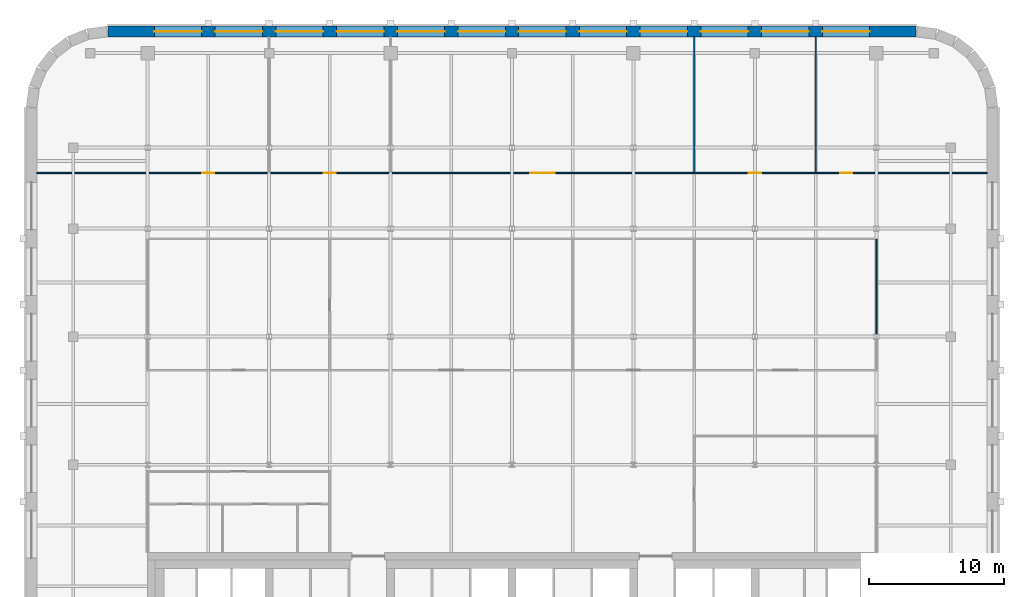
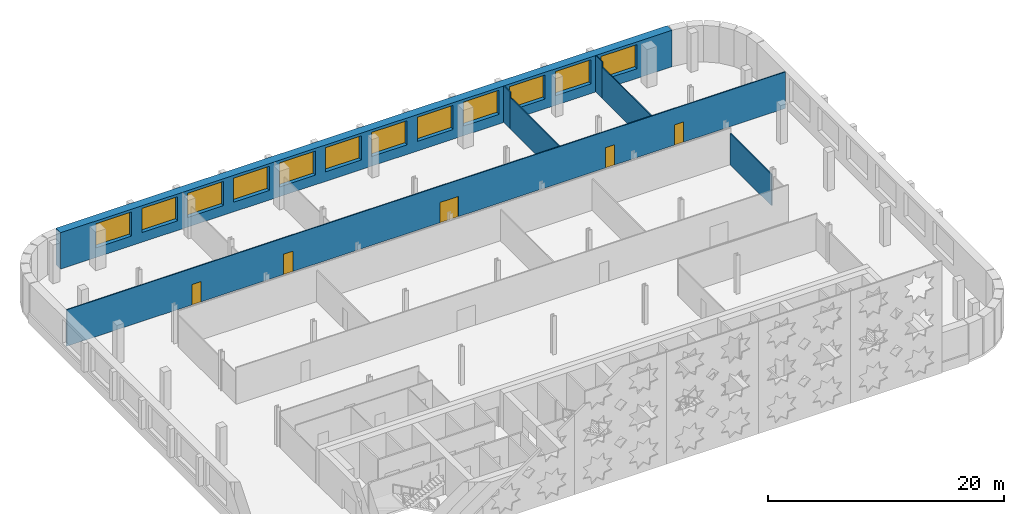
# One storey, part 10 of 15: 12 windows, 7 walls, 5 doors, 17 openings.
"""IFC4 building model written with IfcOpenShell, lengths in metres."""

from ifc_helpers import new_model, si_unit, direction, frame, frame_2d, origin, place, context, subcontext, project, spatial, rectangle, extrude, material, layer, layer_set, type_object, element, fill, save


model = new_model("IFC4")

# Units and contexts
model_context = context("Model", 3, precision=1e-05, world=origin(), true_north=direction((0.0, 1.0)))
body_context = subcontext(model_context, "Body", "Model", "MODEL_VIEW")
ifc_project = project(units=[si_unit("LENGTHUNIT", "METRE"), si_unit("AREAUNIT", "SQUARE_METRE"), si_unit("VOLUMEUNIT", "CUBIC_METRE"), si_unit("PLANEANGLEUNIT", "RADIAN"), si_unit("MASSUNIT", "GRAM", prefix="KILO")], contexts=[model_context])

# Site, building, storey
site_placement = place(None, origin())
site = spatial("IfcSite", under=ifc_project, at=site_placement, CompositionType="ELEMENT")
building_placement = place(site_placement, origin())
building = spatial("IfcBuilding", under=site, at=building_placement, Name="Zellij Exchange Tower", CompositionType="ELEMENT")
storey_placement = place(building_placement, frame((0.0, 0.0, 276.5)))
storey = spatial("IfcBuildingStorey", under=building, at=storey_placement, Name="L65", CompositionType="ELEMENT", Elevation=276.5)

# Wall, openings, windows
ifc_material_1 = material(Name="Precast concrete C40/50", Category="concrete")
ifc_layer_1 = layer(ifc_material_1, 0.800048828125)
ifc_layer_set_1 = layer_set([ifc_layer_1], Name="Precast concrete C40/50")
wall_type_1 = type_object("IfcWallType", Name="ENV-EW1 Precast stone-piered wall 800", PredefinedType="SOLIDWALL", material=ifc_layer_set_1)
wall_1_placement = place(storey_placement, frame((29.947509765625, 36.60009765625, 0.0), z_axis=(0.0, 0.0, 1.0), x_axis=(-1.0, 0.0, 0.0)))
wall_1 = element("IfcWall", 1, at=wall_1_placement, inside=storey, type_object=wall_type_1, Name="fac.L65.14", PredefinedType="SOLIDWALL", context=body_context, shape_type="SweptSolid", body=[
    extrude(rectangle(XDim=59.89501953125, YDim=0.800048828125, at=frame_2d((29.947509765625, 0.0))), origin(), (0.0, 0.0, 1.0), 3.780029296875),
])
opening_1_placement = place(wall_1_placement, frame((3.447509765625, 0.0, 1.0)))
opening_1 = element("IfcOpeningElement", 2, at=opening_1_placement, cuts=wall_1, Name="Opening FC1.07", PredefinedType="OPENING", context=body_context, shape_type="SweptSolid", body=[
    extrude(rectangle(XDim=3.5, YDim=2.5, at=frame_2d((1.75, 1.25))), frame((0.0, 0.412109375, 0.0), z_axis=(0.0, -1.0, 0.0), x_axis=(1.0, 0.0, 0.0)), (0.0, 0.0, 1.0), 0.823974609375),
])
opening_2_placement = place(wall_1_placement, frame((7.947509765625, 0.0, 1.0)))
opening_2 = element("IfcOpeningElement", 3, at=opening_2_placement, cuts=wall_1, Name="Opening FC1.08", PredefinedType="OPENING", context=body_context, shape_type="SweptSolid", body=[
    extrude(rectangle(XDim=3.5, YDim=2.5, at=frame_2d((1.75, 1.25))), frame((0.0, 0.412109375, 0.0), z_axis=(0.0, -1.0, 0.0), x_axis=(1.0, 0.0, 0.0)), (0.0, 0.0, 1.0), 0.823974609375),
])
opening_3_placement = place(wall_1_placement, frame((12.447509765625, 0.0, 1.0)))
opening_3 = element("IfcOpeningElement", 4, at=opening_3_placement, cuts=wall_1, Name="Opening FC1.09", PredefinedType="OPENING", context=body_context, shape_type="SweptSolid", body=[
    extrude(rectangle(XDim=3.5, YDim=2.5, at=frame_2d((1.75, 1.25))), frame((0.0, 0.412109375, 0.0), z_axis=(0.0, -1.0, 0.0), x_axis=(1.0, 0.0, 0.0)), (0.0, 0.0, 1.0), 0.823974609375),
])
opening_4_placement = place(wall_1_placement, frame((16.947509765625, 0.0, 1.0)))
opening_4 = element("IfcOpeningElement", 5, at=opening_4_placement, cuts=wall_1, Name="Opening FC1.10", PredefinedType="OPENING", context=body_context, shape_type="SweptSolid", body=[
    extrude(rectangle(XDim=3.5, YDim=2.5, at=frame_2d((1.75, 1.25))), frame((0.0, 0.412109375, 0.0), z_axis=(0.0, -1.0, 0.0), x_axis=(1.0, 0.0, 0.0)), (0.0, 0.0, 1.0), 0.823974609375),
])
opening_5_placement = place(wall_1_placement, frame((21.447509765625, 0.0, 1.0)))
opening_5 = element("IfcOpeningElement", 6, at=opening_5_placement, cuts=wall_1, Name="Opening FC1.11", PredefinedType="OPENING", context=body_context, shape_type="SweptSolid", body=[
    extrude(rectangle(XDim=3.5, YDim=2.5, at=frame_2d((1.75, 1.25))), frame((0.0, 0.412109375, 0.0), z_axis=(0.0, -1.0, 0.0), x_axis=(1.0, 0.0, 0.0)), (0.0, 0.0, 1.0), 0.823974609375),
])
opening_6_placement = place(wall_1_placement, frame((25.947509765625, 0.0, 1.0)))
opening_6 = element("IfcOpeningElement", 7, at=opening_6_placement, cuts=wall_1, Name="Opening FC1.12", PredefinedType="OPENING", context=body_context, shape_type="SweptSolid", body=[
    extrude(rectangle(XDim=3.5, YDim=2.5, at=frame_2d((1.75, 1.25))), frame((0.0, 0.412109375, 0.0), z_axis=(0.0, -1.0, 0.0), x_axis=(1.0, 0.0, 0.0)), (0.0, 0.0, 1.0), 0.823974609375),
])
opening_7_placement = place(wall_1_placement, frame((30.447509765625, 0.0, 1.0)))
opening_7 = element("IfcOpeningElement", 8, at=opening_7_placement, cuts=wall_1, Name="Opening FC1.13", PredefinedType="OPENING", context=body_context, shape_type="SweptSolid", body=[
    extrude(rectangle(XDim=3.5, YDim=2.5, at=frame_2d((1.75, 1.25))), frame((0.0, 0.412109375, 0.0), z_axis=(0.0, -1.0, 0.0), x_axis=(1.0, 0.0, 0.0)), (0.0, 0.0, 1.0), 0.823974609375),
])
opening_8_placement = place(wall_1_placement, frame((34.947509765625, 0.0, 1.0)))
opening_8 = element("IfcOpeningElement", 9, at=opening_8_placement, cuts=wall_1, Name="Opening FC1.14", PredefinedType="OPENING", context=body_context, shape_type="SweptSolid", body=[
    extrude(rectangle(XDim=3.5, YDim=2.5, at=frame_2d((1.75, 1.25))), frame((0.0, 0.412109375, 0.0), z_axis=(0.0, -1.0, 0.0), x_axis=(1.0, 0.0, 0.0)), (0.0, 0.0, 1.0), 0.823974609375),
])
opening_9_placement = place(wall_1_placement, frame((39.447509765625, 0.0, 1.0)))
opening_9 = element("IfcOpeningElement", 10, at=opening_9_placement, cuts=wall_1, Name="Opening FC1.15", PredefinedType="OPENING", context=body_context, shape_type="SweptSolid", body=[
    extrude(rectangle(XDim=3.5, YDim=2.5, at=frame_2d((1.75, 1.25))), frame((0.0, 0.412109375, 0.0), z_axis=(0.0, -1.0, 0.0), x_axis=(1.0, 0.0, 0.0)), (0.0, 0.0, 1.0), 0.823974609375),
])
opening_10_placement = place(wall_1_placement, frame((43.947509765625, 0.0, 1.0)))
opening_10 = element("IfcOpeningElement", 11, at=opening_10_placement, cuts=wall_1, Name="Opening FC1.16", PredefinedType="OPENING", context=body_context, shape_type="SweptSolid", body=[
    extrude(rectangle(XDim=3.5, YDim=2.5, at=frame_2d((1.75, 1.25))), frame((0.0, 0.412109375, 0.0), z_axis=(0.0, -1.0, 0.0), x_axis=(1.0, 0.0, 0.0)), (0.0, 0.0, 1.0), 0.823974609375),
])
opening_11_placement = place(wall_1_placement, frame((48.447509765625, 0.0, 1.0)))
opening_11 = element("IfcOpeningElement", 12, at=opening_11_placement, cuts=wall_1, Name="Opening FC1.17", PredefinedType="OPENING", context=body_context, shape_type="SweptSolid", body=[
    extrude(rectangle(XDim=3.5, YDim=2.5, at=frame_2d((1.75, 1.25))), frame((0.0, 0.412109375, 0.0), z_axis=(0.0, -1.0, 0.0), x_axis=(1.0, 0.0, 0.0)), (0.0, 0.0, 1.0), 0.823974609375),
])
opening_12_placement = place(wall_1_placement, frame((52.947509765625, 0.0, 1.0)))
opening_12 = element("IfcOpeningElement", 13, at=opening_12_placement, cuts=wall_1, Name="Opening FC1.18", PredefinedType="OPENING", context=body_context, shape_type="SweptSolid", body=[
    extrude(rectangle(XDim=3.5, YDim=2.5, at=frame_2d((1.75, 1.25))), frame((0.0, 0.412109375, 0.0), z_axis=(0.0, -1.0, 0.0), x_axis=(1.0, 0.0, 0.0)), (0.0, 0.0, 1.0), 0.823974609375),
])
ifc_material_2 = material(Name="Aluminium frame with insulating glass", Category="aluminium")
window_type = type_object("IfcWindowType", Name="ENV-W1 Window 3500x2500", PartitioningType="SINGLE_PANEL", PredefinedType="WINDOW", material=ifc_material_2)
window_1_placement = place(opening_1_placement, origin())
window_1 = element("IfcWindow", 14, at=window_1_placement, inside=storey, type_object=window_type, Name="Window FC1.07", OverallHeight=2.5, OverallWidth=3.5, PartitioningType="SINGLE_PANEL", PredefinedType="WINDOW", context=body_context, shape_type="SweptSolid", body=[
    extrude(rectangle(XDim=3.5, YDim=2.5, at=frame_2d((1.75, 1.25))), frame((0.0, 0.030029296875, 0.0), z_axis=(0.0, -1.0, 0.0), x_axis=(1.0, 0.0, 0.0)), (0.0, 0.0, 1.0), 0.06005859375),
])
fill(opening_1, window_1)
window_2_placement = place(opening_2_placement, origin())
window_2 = element("IfcWindow", 15, at=window_2_placement, inside=storey, type_object=window_type, Name="Window FC1.08", OverallHeight=2.5, OverallWidth=3.5, PartitioningType="SINGLE_PANEL", PredefinedType="WINDOW", context=body_context, shape_type="SweptSolid", body=[
    extrude(rectangle(XDim=3.5, YDim=2.5, at=frame_2d((1.75, 1.25))), frame((0.0, 0.030029296875, 0.0), z_axis=(0.0, -1.0, 0.0), x_axis=(1.0, 0.0, 0.0)), (0.0, 0.0, 1.0), 0.06005859375),
])
fill(opening_2, window_2)
window_3_placement = place(opening_3_placement, origin())
window_3 = element("IfcWindow", 16, at=window_3_placement, inside=storey, type_object=window_type, Name="Window FC1.09", OverallHeight=2.5, OverallWidth=3.5, PartitioningType="SINGLE_PANEL", PredefinedType="WINDOW", context=body_context, shape_type="SweptSolid", body=[
    extrude(rectangle(XDim=3.5, YDim=2.5, at=frame_2d((1.75, 1.25))), frame((0.0, 0.030029296875, 0.0), z_axis=(0.0, -1.0, 0.0), x_axis=(1.0, 0.0, 0.0)), (0.0, 0.0, 1.0), 0.06005859375),
])
fill(opening_3, window_3)
window_4_placement = place(opening_4_placement, origin())
window_4 = element("IfcWindow", 17, at=window_4_placement, inside=storey, type_object=window_type, Name="Window FC1.10", OverallHeight=2.5, OverallWidth=3.5, PartitioningType="SINGLE_PANEL", PredefinedType="WINDOW", context=body_context, shape_type="SweptSolid", body=[
    extrude(rectangle(XDim=3.5, YDim=2.5, at=frame_2d((1.75, 1.25))), frame((0.0, 0.030029296875, 0.0), z_axis=(0.0, -1.0, 0.0), x_axis=(1.0, 0.0, 0.0)), (0.0, 0.0, 1.0), 0.06005859375),
])
fill(opening_4, window_4)
window_5_placement = place(opening_5_placement, origin())
window_5 = element("IfcWindow", 18, at=window_5_placement, inside=storey, type_object=window_type, Name="Window FC1.11", OverallHeight=2.5, OverallWidth=3.5, PartitioningType="SINGLE_PANEL", PredefinedType="WINDOW", context=body_context, shape_type="SweptSolid", body=[
    extrude(rectangle(XDim=3.5, YDim=2.5, at=frame_2d((1.75, 1.25))), frame((0.0, 0.030029296875, 0.0), z_axis=(0.0, -1.0, 0.0), x_axis=(1.0, 0.0, 0.0)), (0.0, 0.0, 1.0), 0.06005859375),
])
fill(opening_5, window_5)
window_6_placement = place(opening_6_placement, origin())
window_6 = element("IfcWindow", 19, at=window_6_placement, inside=storey, type_object=window_type, Name="Window FC1.12", OverallHeight=2.5, OverallWidth=3.5, PartitioningType="SINGLE_PANEL", PredefinedType="WINDOW", context=body_context, shape_type="SweptSolid", body=[
    extrude(rectangle(XDim=3.5, YDim=2.5, at=frame_2d((1.75, 1.25))), frame((0.0, 0.030029296875, 0.0), z_axis=(0.0, -1.0, 0.0), x_axis=(1.0, 0.0, 0.0)), (0.0, 0.0, 1.0), 0.06005859375),
])
fill(opening_6, window_6)
window_7_placement = place(opening_7_placement, origin())
window_7 = element("IfcWindow", 20, at=window_7_placement, inside=storey, type_object=window_type, Name="Window FC1.13", OverallHeight=2.5, OverallWidth=3.5, PartitioningType="SINGLE_PANEL", PredefinedType="WINDOW", context=body_context, shape_type="SweptSolid", body=[
    extrude(rectangle(XDim=3.5, YDim=2.5, at=frame_2d((1.75, 1.25))), frame((0.0, 0.030029296875, 0.0), z_axis=(0.0, -1.0, 0.0), x_axis=(1.0, 0.0, 0.0)), (0.0, 0.0, 1.0), 0.06005859375),
])
fill(opening_7, window_7)
window_8_placement = place(opening_8_placement, origin())
window_8 = element("IfcWindow", 21, at=window_8_placement, inside=storey, type_object=window_type, Name="Window FC1.14", OverallHeight=2.5, OverallWidth=3.5, PartitioningType="SINGLE_PANEL", PredefinedType="WINDOW", context=body_context, shape_type="SweptSolid", body=[
    extrude(rectangle(XDim=3.5, YDim=2.5, at=frame_2d((1.75, 1.25))), frame((0.0, 0.030029296875, 0.0), z_axis=(0.0, -1.0, 0.0), x_axis=(1.0, 0.0, 0.0)), (0.0, 0.0, 1.0), 0.06005859375),
])
fill(opening_8, window_8)
window_9_placement = place(opening_9_placement, origin())
window_9 = element("IfcWindow", 22, at=window_9_placement, inside=storey, type_object=window_type, Name="Window FC1.15", OverallHeight=2.5, OverallWidth=3.5, PartitioningType="SINGLE_PANEL", PredefinedType="WINDOW", context=body_context, shape_type="SweptSolid", body=[
    extrude(rectangle(XDim=3.5, YDim=2.5, at=frame_2d((1.75, 1.25))), frame((0.0, 0.030029296875, 0.0), z_axis=(0.0, -1.0, 0.0), x_axis=(1.0, 0.0, 0.0)), (0.0, 0.0, 1.0), 0.06005859375),
])
fill(opening_9, window_9)
window_10_placement = place(opening_10_placement, origin())
window_10 = element("IfcWindow", 23, at=window_10_placement, inside=storey, type_object=window_type, Name="Window FC1.16", OverallHeight=2.5, OverallWidth=3.5, PartitioningType="SINGLE_PANEL", PredefinedType="WINDOW", context=body_context, shape_type="SweptSolid", body=[
    extrude(rectangle(XDim=3.5, YDim=2.5, at=frame_2d((1.75, 1.25))), frame((0.0, 0.030029296875, 0.0), z_axis=(0.0, -1.0, 0.0), x_axis=(1.0, 0.0, 0.0)), (0.0, 0.0, 1.0), 0.06005859375),
])
fill(opening_10, window_10)
window_11_placement = place(opening_11_placement, origin())
window_11 = element("IfcWindow", 24, at=window_11_placement, inside=storey, type_object=window_type, Name="Window FC1.17", OverallHeight=2.5, OverallWidth=3.5, PartitioningType="SINGLE_PANEL", PredefinedType="WINDOW", context=body_context, shape_type="SweptSolid", body=[
    extrude(rectangle(XDim=3.5, YDim=2.5, at=frame_2d((1.75, 1.25))), frame((0.0, 0.030029296875, 0.0), z_axis=(0.0, -1.0, 0.0), x_axis=(1.0, 0.0, 0.0)), (0.0, 0.0, 1.0), 0.06005859375),
])
fill(opening_11, window_11)
window_12_placement = place(opening_12_placement, origin())
window_12 = element("IfcWindow", 25, at=window_12_placement, inside=storey, type_object=window_type, Name="Window FC1.18", OverallHeight=2.5, OverallWidth=3.5, PartitioningType="SINGLE_PANEL", PredefinedType="WINDOW", context=body_context, shape_type="SweptSolid", body=[
    extrude(rectangle(XDim=3.5, YDim=2.5, at=frame_2d((1.75, 1.25))), frame((0.0, 0.030029296875, 0.0), z_axis=(0.0, -1.0, 0.0), x_axis=(1.0, 0.0, 0.0)), (0.0, 0.0, 1.0), 0.06005859375),
])
fill(opening_12, window_12)

# Wall
ifc_material_3 = material(Name="Gypsum board partition on steel studs", Category="steel")
ifc_layer_2 = layer(ifc_material_3, 0.10009765625)
ifc_layer_set_2 = layer_set([ifc_layer_2], Name="Gypsum board partition on steel studs")
wall_type_2 = type_object("IfcWallType", Name="FIT-PARTITION-100", PredefinedType="PARTITIONING", material=ifc_layer_set_2)
wall_2_placement = place(storey_placement, frame((27.0, 14.186767578125, 0.0), z_axis=(0.0, 0.0, 1.0), x_axis=(0.0, 1.0, 0.0)))
element("IfcWall", 26, at=wall_2_placement, inside=storey, type_object=wall_type_2, Name="FIT-PARTITION-100 018", PredefinedType="PARTITIONING", context=body_context, shape_type="SweptSolid", body=[
    extrude(rectangle(XDim=7.003173828125, YDim=0.10009765625, at=frame_2d((3.50146484375, 0.0))), origin(), (0.0, 0.0, 1.0), 3.24658203125),
])

# Wall, openings, doors
wall_3_placement = place(storey_placement, frame((-35.199951171875, 26.110107421875, 0.0), z_axis=(0.0, 0.0, 1.0), x_axis=(1.0, 0.0, 0.0)))
wall_3 = element("IfcWall", 27, at=wall_3_placement, inside=storey, type_object=wall_type_2, Name="FIT-PARTITION-100 020", PredefinedType="PARTITIONING", context=body_context, shape_type="SweptSolid", body=[
    extrude(rectangle(XDim=70.39990234375, YDim=0.10009765625, at=frame_2d((35.199951171875, 0.0))), origin(), (0.0, 0.0, 1.0), 3.780029296875),
])
opening_13_placement = place(wall_3_placement, frame((12.25, 0.0, 0.0)))
opening_13 = element("IfcOpeningElement", 28, at=opening_13_placement, cuts=wall_3, Name="Opening EX2.11", PredefinedType="OPENING", context=body_context, shape_type="SweptSolid", body=[
    extrude(rectangle(XDim=0.89990234375, YDim=2.10009765625, at=frame_2d((0.449951171875, 1.050048828125))), frame((0.0, 0.06201171875, 0.0), z_axis=(0.0, -1.0, 0.0), x_axis=(1.0, 0.0, 0.0)), (0.0, 0.0, 1.0), 0.1240234375),
])
opening_14_placement = place(wall_3_placement, frame((21.25, 0.0, 0.0)))
opening_14 = element("IfcOpeningElement", 29, at=opening_14_placement, cuts=wall_3, Name="Opening EX2.12", PredefinedType="OPENING", context=body_context, shape_type="SweptSolid", body=[
    extrude(rectangle(XDim=0.89990234375, YDim=2.10009765625, at=frame_2d((0.449951171875, 1.050048828125))), frame((0.0, 0.06201171875, 0.0), z_axis=(0.0, -1.0, 0.0), x_axis=(1.0, 0.0, 0.0)), (0.0, 0.0, 1.0), 0.1240234375),
])
opening_15_placement = place(wall_3_placement, frame((36.550048828125, 0.0, 0.0)))
opening_15 = element("IfcOpeningElement", 30, at=opening_15_placement, cuts=wall_3, Name="Opening EX2.13", PredefinedType="OPENING", context=body_context, shape_type="SweptSolid", body=[
    extrude(rectangle(XDim=1.800048828125, YDim=2.10009765625, at=frame_2d((0.89990234375, 1.050048828125))), frame((0.0, 0.06201171875, 0.0), z_axis=(0.0, -1.0, 0.0), x_axis=(1.0, 0.0, 0.0)), (0.0, 0.0, 1.0), 0.1240234375),
])
opening_16_placement = place(wall_3_placement, frame((52.75, 0.0, 0.0)))
opening_16 = element("IfcOpeningElement", 31, at=opening_16_placement, cuts=wall_3, Name="Opening EX2.14", PredefinedType="OPENING", context=body_context, shape_type="SweptSolid", body=[
    extrude(rectangle(XDim=0.89990234375, YDim=2.10009765625, at=frame_2d((0.449951171875, 1.050048828125))), frame((0.0, 0.06201171875, 0.0), z_axis=(0.0, -1.0, 0.0), x_axis=(1.0, 0.0, 0.0)), (0.0, 0.0, 1.0), 0.1240234375),
])
opening_17_placement = place(wall_3_placement, frame((59.5, 0.0, 0.0)))
opening_17 = element("IfcOpeningElement", 32, at=opening_17_placement, cuts=wall_3, Name="Opening EX2.15", PredefinedType="OPENING", context=body_context, shape_type="SweptSolid", body=[
    extrude(rectangle(XDim=0.89990234375, YDim=2.10009765625, at=frame_2d((0.449951171875, 1.050048828125))), frame((0.0, 0.06201171875, 0.0), z_axis=(0.0, -1.0, 0.0), x_axis=(1.0, 0.0, 0.0)), (0.0, 0.0, 1.0), 0.1240234375),
])
ifc_material_4 = material(Name="Timber door set", Category="wood")
door_type_1 = type_object("IfcDoorType", Name="FIT-D1-ROOM-900X2100", OperationType="SINGLE_SWING_LEFT", PredefinedType="DOOR", material=ifc_material_4)
door_1_placement = place(opening_13_placement, origin())
door_1 = element("IfcDoor", 33, at=door_1_placement, inside=storey, type_object=door_type_1, Name="Door EX2.11", OperationType="SINGLE_SWING_LEFT", OverallHeight=2.10009765625, OverallWidth=0.89990234375, PredefinedType="DOOR", context=body_context, shape_type="SweptSolid", body=[
    extrude(rectangle(XDim=0.89990234375, YDim=2.10009765625, at=frame_2d((0.449951171875, 1.050048828125))), frame((0.0, 0.02490234375, 0.0), z_axis=(0.0, -1.0, 0.0), x_axis=(1.0, 0.0, 0.0)), (0.0, 0.0, 1.0), 0.050048828125),
])
fill(opening_13, door_1)
door_2_placement = place(opening_14_placement, origin())
door_2 = element("IfcDoor", 34, at=door_2_placement, inside=storey, type_object=door_type_1, Name="Door EX2.12", OperationType="SINGLE_SWING_LEFT", OverallHeight=2.10009765625, OverallWidth=0.89990234375, PredefinedType="DOOR", context=body_context, shape_type="SweptSolid", body=[
    extrude(rectangle(XDim=0.89990234375, YDim=2.10009765625, at=frame_2d((0.449951171875, 1.050048828125))), frame((0.0, 0.02490234375, 0.0), z_axis=(0.0, -1.0, 0.0), x_axis=(1.0, 0.0, 0.0)), (0.0, 0.0, 1.0), 0.050048828125),
])
fill(opening_14, door_2)
door_3_placement = place(opening_16_placement, origin())
door_3 = element("IfcDoor", 35, at=door_3_placement, inside=storey, type_object=door_type_1, Name="Door EX2.14", OperationType="SINGLE_SWING_LEFT", OverallHeight=2.10009765625, OverallWidth=0.89990234375, PredefinedType="DOOR", context=body_context, shape_type="SweptSolid", body=[
    extrude(rectangle(XDim=0.89990234375, YDim=2.10009765625, at=frame_2d((0.449951171875, 1.050048828125))), frame((0.0, 0.02490234375, 0.0), z_axis=(0.0, -1.0, 0.0), x_axis=(1.0, 0.0, 0.0)), (0.0, 0.0, 1.0), 0.050048828125),
])
fill(opening_16, door_3)
door_4_placement = place(opening_17_placement, origin())
door_4 = element("IfcDoor", 36, at=door_4_placement, inside=storey, type_object=door_type_1, Name="Door EX2.15", OperationType="SINGLE_SWING_LEFT", OverallHeight=2.10009765625, OverallWidth=0.89990234375, PredefinedType="DOOR", context=body_context, shape_type="SweptSolid", body=[
    extrude(rectangle(XDim=0.89990234375, YDim=2.10009765625, at=frame_2d((0.449951171875, 1.050048828125))), frame((0.0, 0.02490234375, 0.0), z_axis=(0.0, -1.0, 0.0), x_axis=(1.0, 0.0, 0.0)), (0.0, 0.0, 1.0), 0.050048828125),
])
fill(opening_17, door_4)
door_type_2 = type_object("IfcDoorType", Name="FIT-D3-DOUBLE-1800X2100", OperationType="DOUBLE_DOOR_SINGLE_SWING", PredefinedType="DOOR", material=ifc_material_4)
door_5_placement = place(opening_15_placement, origin())
door_5 = element("IfcDoor", 37, at=door_5_placement, inside=storey, type_object=door_type_2, Name="Door EX2.13", OperationType="DOUBLE_DOOR_SINGLE_SWING", OverallHeight=2.10009765625, OverallWidth=1.800048828125, PredefinedType="DOOR", context=body_context, shape_type="SweptSolid", body=[
    extrude(rectangle(XDim=1.800048828125, YDim=2.10009765625, at=frame_2d((0.89990234375, 1.050048828125))), frame((0.0, 0.02490234375, 0.0), z_axis=(0.0, -1.0, 0.0), x_axis=(1.0, 0.0, 0.0)), (0.0, 0.0, 1.0), 0.050048828125),
])
fill(opening_15, door_5)

# Walls
wall_4_placement = place(storey_placement, frame((13.5, 26.159912109375, 0.0), z_axis=(0.0, 0.0, 1.0), x_axis=(0.0, 1.0, 0.0)))
element("IfcWall", 38, at=wall_4_placement, inside=storey, type_object=wall_type_2, Name="FIT-PARTITION-100 027", PredefinedType="PARTITIONING", context=body_context, shape_type="SweptSolid", body=[
    extrude(rectangle(XDim=8.944580078125, YDim=0.10009765625, at=frame_2d((4.47216796875, 0.0))), origin(), (0.0, 0.0, 1.0), 3.24658203125),
])
wall_5_placement = place(storey_placement, frame((13.5, 35.1044921875, 0.0), z_axis=(0.0, 0.0, 1.0), x_axis=(0.0, 1.0, 0.0)))
element("IfcWall", 39, at=wall_5_placement, inside=storey, type_object=wall_type_2, Name="FIT-PARTITION-100 028", PredefinedType="PARTITIONING", context=body_context, shape_type="SweptSolid", body=[
    extrude(rectangle(XDim=1.095458984375, YDim=0.10009765625, at=frame_2d((0.5478515625, 0.0))), origin(), (0.0, 0.0, 1.0), 3.780029296875),
])
wall_6_placement = place(storey_placement, frame((22.5, 26.159912109375, 0.0), z_axis=(0.0, 0.0, 1.0), x_axis=(0.0, 1.0, 0.0)))
element("IfcWall", 40, at=wall_6_placement, inside=storey, type_object=wall_type_2, Name="FIT-PARTITION-100 029", PredefinedType="PARTITIONING", context=body_context, shape_type="SweptSolid", body=[
    extrude(rectangle(XDim=8.944580078125, YDim=0.10009765625, at=frame_2d((4.47216796875, 0.0))), origin(), (0.0, 0.0, 1.0), 3.24658203125),
])
wall_7_placement = place(storey_placement, frame((22.5, 35.1044921875, 0.0), z_axis=(0.0, 0.0, 1.0), x_axis=(0.0, 1.0, 0.0)))
element("IfcWall", 41, at=wall_7_placement, inside=storey, type_object=wall_type_2, Name="FIT-PARTITION-100 030", PredefinedType="PARTITIONING", context=body_context, shape_type="SweptSolid", body=[
    extrude(rectangle(XDim=1.095458984375, YDim=0.10009765625, at=frame_2d((0.5478515625, 0.0))), origin(), (0.0, 0.0, 1.0), 3.780029296875),
])

save(model, "model.ifc")
